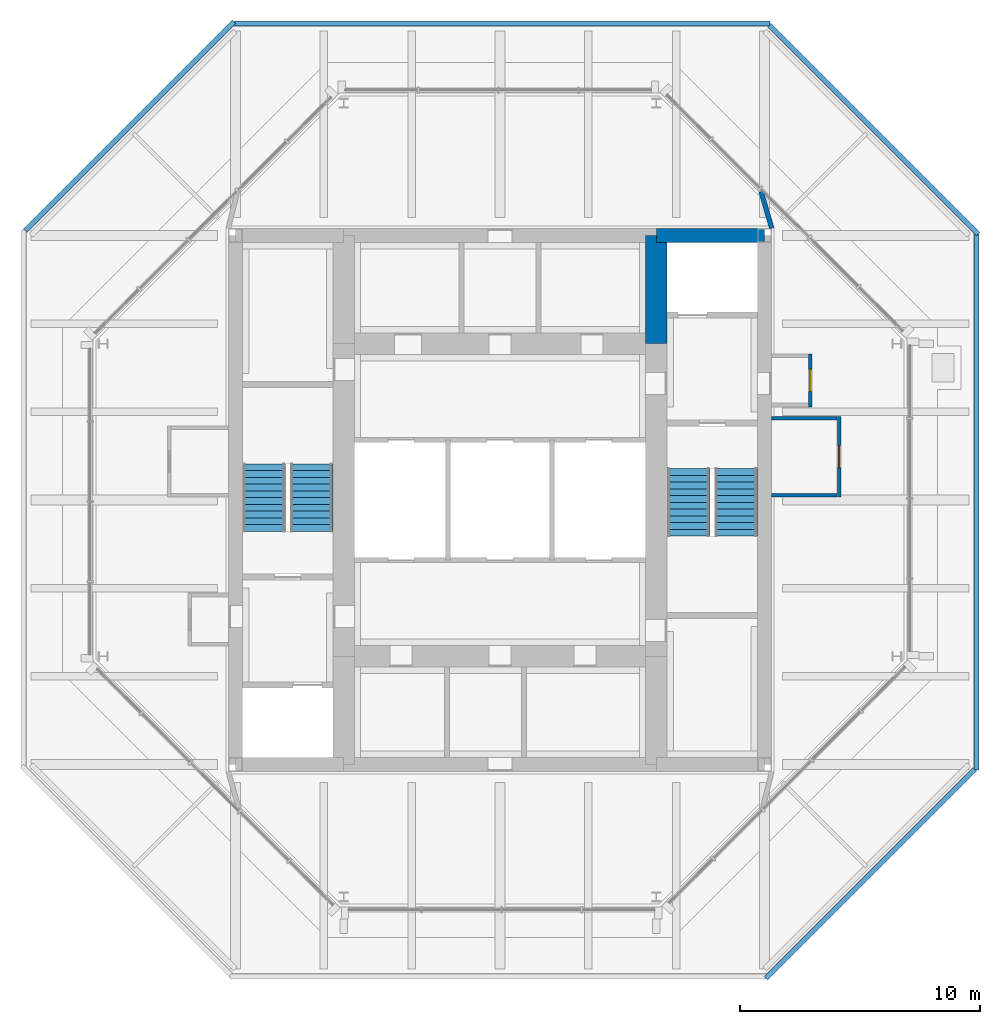
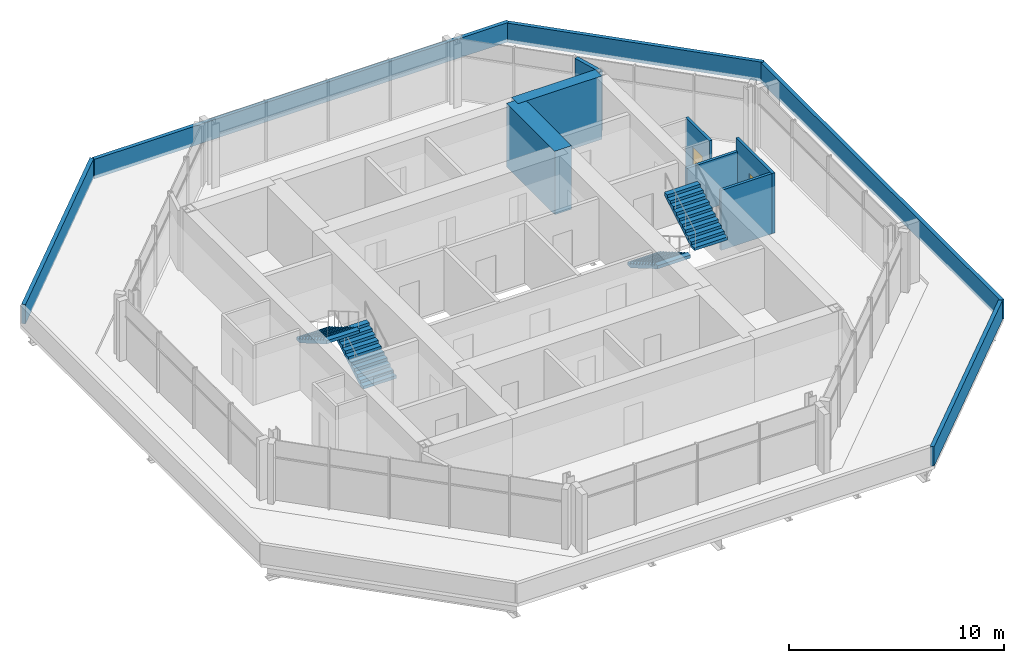
# One storey, part 9 of 10: 12 walls, 4 stair flights, 2 doors, 2 openings, 2 elements without a shape of their own.
"""IFC4 building model written with IfcOpenShell, lengths in metres."""

from ifc_helpers import new_model, si_unit, direction, frame, frame_2d, origin, place, context, subcontext, project, spatial, polyline, rectangle, outline, extrude, material, layer, layer_set, type_object, element, fill, aggregate, save


model = new_model("IFC4")

# Units and contexts
model_context = context("Model", 3, precision=1e-05, world=origin(), true_north=direction((0.0, 1.0)))
body_context = subcontext(model_context, "Body", "Model", "MODEL_VIEW")
ifc_project = project(units=[si_unit("LENGTHUNIT", "METRE"), si_unit("AREAUNIT", "SQUARE_METRE"), si_unit("VOLUMEUNIT", "CUBIC_METRE"), si_unit("PLANEANGLEUNIT", "RADIAN"), si_unit("MASSUNIT", "GRAM", prefix="KILO")], contexts=[model_context])

# Site, building, storey
site_placement = place(None, origin())
site = spatial("IfcSite", under=ifc_project, at=site_placement, CompositionType="ELEMENT")
building_placement = place(site_placement, origin())
building = spatial("IfcBuilding", under=site, at=building_placement, Name="Trevanion Tower", CompositionType="ELEMENT")
storey_placement = place(building_placement, frame((0.0, 0.0, 263.199951171875)))
storey = spatial("IfcBuildingStorey", under=building, at=storey_placement, Name="L64", CompositionType="ELEMENT", Elevation=263.199951171875)

# Walls
ifc_material_1 = material(Name="Concrete 10,000 psi", Category="concrete")
ifc_layer_1 = layer(ifc_material_1, 0.60009765625)
ifc_layer_set_1 = layer_set([ifc_layer_1], Name="CW1 core wall 600")
wall_type_1 = type_object("IfcWallType", Name="CW1 core wall 600", PredefinedType="SHEAR", material=ifc_layer_set_1)
wall_1_placement = place(storey_placement, frame((11.0, 11.0, 0.0), z_axis=(0.0, 0.0, 1.0), x_axis=(-1.0, 0.0, 0.0)))
element("IfcWall", 1, at=wall_1_placement, inside=storey, type_object=wall_type_1, Name="CW1 CN1 L64", PredefinedType="SHEAR", context=body_context, shape_type="SweptSolid", body=[
    extrude(rectangle(XDim=4.5, YDim=0.60009765625, at=frame_2d((2.25, 0.0))), origin(), (0.0, 0.0, 1.0), 3.60009765625),
])
ifc_material_2 = material(Name="Concrete 10,000 psi", Category="concrete")
ifc_layer_2 = layer(ifc_material_2, 0.89990234375)
ifc_layer_set_2 = layer_set([ifc_layer_2], Name="CW2 core wall 900")
wall_type_2 = type_object("IfcWallType", Name="CW2 core wall 900", PredefinedType="SHEAR", material=ifc_layer_set_2)
wall_2_placement = place(storey_placement, frame((6.5, 6.5, 0.0), z_axis=(0.0, 0.0, 1.0), x_axis=(0.0, 1.0, 0.0)))
element("IfcWall", 2, at=wall_2_placement, inside=storey, type_object=wall_type_2, Name="CW2 RE3 L64", PredefinedType="SHEAR", context=body_context, shape_type="SweptSolid", body=[
    extrude(rectangle(XDim=4.5, YDim=0.89990234375, at=frame_2d((2.25, 0.0))), origin(), (0.0, 0.0, 1.0), 3.60009765625),
])
ifc_material_3 = material(Name="Reinforced concrete parapet faced in bronze metal coping", Category="concrete")
ifc_layer_3 = layer(ifc_material_3, 0.199951171875)
ifc_layer_set_3 = layer_set([ifc_layer_3], Name="PP1 parapet 200")
wall_type_3 = type_object("IfcWallType", Name="PP1 parapet 200", PredefinedType="PARAPET", material=ifc_layer_set_3)
for number, where, z_axis, x_axis, name in (
    (3, (19.749267578125, -11.203369140625, 0.0), (0.0, 0.0, 1.0), (-0.707116716997, -0.707096845237, 0.0), "PP1 L64 1"),
    (4, (-19.749267578125, 11.203369140625, 0.0), (0.0, 0.0, 1.0), (0.707116716997, 0.707096845237, 0.0), "PP1 L64 5"),
):
    element("IfcWall", number, at=place(storey_placement, frame(where, z_axis=z_axis, x_axis=x_axis)), inside=storey, type_object=wall_type_3, Name=name, PredefinedType="PARAPET", context=body_context, shape_type="SweptSolid", body=[
        extrude(rectangle(XDim=12.285888671875, YDim=0.199951171875, at=frame_2d((6.14306640625, 0.0))), origin(), (0.0, 0.0, 1.0), 1.10009765625),
    ])
wall_3_placement = place(storey_placement, frame((-11.032470703125, 19.820068359375, 0.0), z_axis=(0.0, 0.0, 1.0), x_axis=(1.0, 0.0, 0.0)))
element("IfcWall", 5, at=wall_3_placement, inside=storey, type_object=wall_type_3, Name="PP1 L64 6", PredefinedType="PARAPET", context=body_context, shape_type="SweptSolid", body=[
    extrude(rectangle(XDim=22.264892578125, YDim=0.199951171875, at=frame_2d((11.13232421875, 0.0))), origin(), (0.0, 0.0, 1.0), 1.10009765625),
])
wall_4_placement = place(storey_placement, frame((11.203369140625, 19.749267578125, 0.0), z_axis=(0.0, 0.0, 1.0), x_axis=(0.707096845237, -0.707116716997, 0.0)))
element("IfcWall", 6, at=wall_4_placement, inside=storey, type_object=wall_type_3, Name="PP1 L64 7", PredefinedType="PARAPET", context=body_context, shape_type="SweptSolid", body=[
    extrude(rectangle(XDim=12.285888671875, YDim=0.199951171875, at=frame_2d((6.14306640625, 0.0))), origin(), (0.0, 0.0, 1.0), 1.10009765625),
])
wall_5_placement = place(storey_placement, frame((19.820068359375, 11.032470703125, 0.0), z_axis=(0.0, 0.0, 1.0), x_axis=(0.0, -1.0, 0.0)))
element("IfcWall", 7, at=wall_5_placement, inside=storey, type_object=wall_type_3, Name="PP1 L64 8", PredefinedType="PARAPET", context=body_context, shape_type="SweptSolid", body=[
    extrude(rectangle(XDim=22.264892578125, YDim=0.199951171875, at=frame_2d((11.13232421875, 0.0))), origin(), (0.0, 0.0, 1.0), 1.10009765625),
])

# Wall, opening, door
ifc_material_4 = material(Name="Gypsum board on steel studs", Category="steel")
ifc_layer_4 = layer(ifc_material_4, 0.14990234375)
ifc_layer_set_4 = layer_set([ifc_layer_4], Name="PT1 partition 150")
wall_type_4 = type_object("IfcWallType", Name="PT1 partition 150", PredefinedType="PARTITIONING", material=ifc_layer_set_4)
wall_6_placement = place(storey_placement, frame((12.89990234375, 3.875, 0.0), z_axis=(0.0, 0.0, 1.0), x_axis=(0.0, 1.0, 0.0)))
wall_6 = element("IfcWall", 8, at=wall_6_placement, inside=storey, type_object=wall_type_4, Name="PT1 L64 REEF", PredefinedType="PARTITIONING", context=body_context, shape_type="SweptSolid", body=[
    extrude(rectangle(XDim=2.199951171875, YDim=0.14990234375, at=frame_2d((1.10009765625, 0.0))), origin(), (0.0, 0.0, 1.0), 3.41015625),
])
opening_1_placement = place(wall_6_placement, frame((0.642578125, 0.0, 0.0)))
opening_1 = element("IfcOpeningElement", 9, at=opening_1_placement, cuts=wall_6, Name="Opening 64-025", PredefinedType="OPENING", context=body_context, shape_type="SweptSolid", body=[
    extrude(rectangle(XDim=0.9150390625, YDim=2.134033203125, at=frame_2d((0.45751953125, 1.06689453125))), frame((0.0, 0.0849609375, 0.0), z_axis=(0.0, -1.0, 0.0), x_axis=(1.0, 0.0, 0.0)), (0.0, 0.0, 1.0), 0.169921875),
])
ifc_material_5 = material(Name="Timber veneer, solid core", Category="wood")
door_type = type_object("IfcDoorType", Name="D1 office and meeting room door", OperationType="SINGLE_SWING_LEFT", PredefinedType="DOOR", material=ifc_material_5)
door_1_placement = place(opening_1_placement, origin())
door_1 = element("IfcDoor", 10, at=door_1_placement, inside=storey, type_object=door_type, Name="Door 64-025", OperationType="SINGLE_SWING_LEFT", OverallHeight=2.134033203125, OverallWidth=0.9150390625, PredefinedType="DOOR", context=body_context, shape_type="SweptSolid", body=[
    extrude(rectangle(XDim=0.9150390625, YDim=2.134033203125, at=frame_2d((0.45751953125, 1.06689453125))), frame((0.0, 0.02490234375, 0.0), z_axis=(0.0, -1.0, 0.0), x_axis=(1.0, 0.0, 0.0)), (0.0, 0.0, 1.0), 0.050048828125),
])
fill(opening_1, door_1)

wall_7_placement = place(storey_placement, frame((14.10009765625, 0.125, 0.0), z_axis=(0.0, 0.0, 1.0), x_axis=(0.0, 1.0, 0.0)))
wall_7 = element("IfcWall", 11, at=wall_7_placement, inside=storey, type_object=wall_type_4, Name="PT1 L64 REKF", PredefinedType="PARTITIONING", context=body_context, shape_type="SweptSolid", body=[
    extrude(rectangle(XDim=3.35009765625, YDim=0.14990234375, at=frame_2d((1.675048828125, 0.0))), origin(), (0.0, 0.0, 1.0), 3.41015625),
])
opening_2_placement = place(wall_7_placement, frame((1.217529296875, 0.0, 0.0)))
opening_2 = element("IfcOpeningElement", 12, at=opening_2_placement, cuts=wall_7, Name="Opening 64-026", PredefinedType="OPENING", context=body_context, shape_type="SweptSolid", body=[
    extrude(rectangle(XDim=0.9150390625, YDim=2.134033203125, at=frame_2d((0.45751953125, 1.06689453125))), frame((0.0, 0.0849609375, 0.0), z_axis=(0.0, -1.0, 0.0), x_axis=(1.0, 0.0, 0.0)), (0.0, 0.0, 1.0), 0.169921875),
])
door_2_placement = place(opening_2_placement, origin())
door_2 = element("IfcDoor", 13, at=door_2_placement, inside=storey, type_object=door_type, Name="Door 64-026", OperationType="SINGLE_SWING_LEFT", OverallHeight=2.134033203125, OverallWidth=0.9150390625, PredefinedType="DOOR", context=body_context, shape_type="SweptSolid", body=[
    extrude(rectangle(XDim=0.9150390625, YDim=2.134033203125, at=frame_2d((0.45751953125, 1.06689453125))), frame((0.0, 0.02490234375, 0.0), z_axis=(0.0, -1.0, 0.0), x_axis=(1.0, 0.0, 0.0)), (0.0, 0.0, 1.0), 0.050048828125),
])
fill(opening_2, door_2)

# Walls
wall_8_placement = place(storey_placement, frame((11.300048828125, 0.199951171875, 0.0), z_axis=(0.0, 0.0, 1.0), x_axis=(1.0, 0.0, 0.0)))
element("IfcWall", 14, at=wall_8_placement, inside=storey, type_object=wall_type_4, Name="PT1 L64 REKA", PredefinedType="PARTITIONING", context=body_context, shape_type="SweptSolid", body=[
    extrude(rectangle(XDim=2.724853515625, YDim=0.14990234375, at=frame_2d((1.3623046875, 0.0))), origin(), (0.0, 0.0, 1.0), 3.41015625),
])
wall_9_placement = place(storey_placement, frame((11.300048828125, 3.39990234375, 0.0), z_axis=(0.0, 0.0, 1.0), x_axis=(1.0, 0.0, 0.0)))
element("IfcWall", 15, at=wall_9_placement, inside=storey, type_object=wall_type_4, Name="PT1 L64 REKB", PredefinedType="PARTITIONING", context=body_context, shape_type="SweptSolid", body=[
    extrude(rectangle(XDim=2.724853515625, YDim=0.14990234375, at=frame_2d((1.3623046875, 0.0))), origin(), (0.0, 0.0, 1.0), 2.708984375),
])
ifc_material_6 = material(Name="Concrete masonry, grouted", Category="masonry")
ifc_layer_5 = layer(ifc_material_6, 0.199951171875)
ifc_layer_set_5 = layer_set([ifc_layer_5], Name="PT2 partition 200 1 HR")
wall_type_5 = type_object("IfcWallType", Name="PT2 partition 200 1 HR", PredefinedType="PARTITIONING", material=ifc_layer_set_5)
wall_10_placement = place(storey_placement, frame((11.300048828125, 11.300048828125, 0.0), z_axis=(0.0, 0.0, 1.0), x_axis=(-0.278099250491, 0.960552344683, 0.0)))
element("IfcWall", 16, at=wall_10_placement, inside=storey, type_object=wall_type_5, Name="PT2 L64 UB0", PredefinedType="PARTITIONING", context=body_context, shape_type="SweptSolid", body=[
    extrude(rectangle(XDim=1.583740234375, YDim=0.199951171875, at=frame_2d((0.7919921875, 0.0))), origin(), (0.0, 0.0, 1.0), 3.41015625),
])

# Stair, stair flights
ifc_material_7 = material(Name="Concrete 5,000 psi on steel stringers", Category="concrete")
stair_type = type_object("IfcStairType", Name="ST stair", PredefinedType="HALF_TURN_STAIR", material=ifc_material_7)
stair_1_placement = place(storey_placement, origin())
stair_1 = element("IfcStair", 17, at=stair_1_placement, inside=storey, type_object=stair_type, Name="ST1 L64", PredefinedType="HALF_TURN_STAIR")
ifc_material_8 = material(Name="Concrete 5,000 psi in steel pan", Category="concrete")
stair_flight_type = type_object("IfcStairFlightType", Name="STF stair flight", PredefinedType="STRAIGHT", material=ifc_material_8)
stair_flight_1_placement = place(storey_placement, frame((7.83740234375, 1.300048828125, 0.0), z_axis=(0.0, 0.0, 1.0), x_axis=(0.0, -1.0, 0.0)))
stair_flight_1 = element("IfcStairFlight", 18, at=stair_flight_1_placement, type_object=stair_flight_type, Name="ST1 flight 1", NumberOfRisers=11, NumberOfTreads=10, PredefinedType="STRAIGHT", RiserHeight=0.163636364, TreadLength=0.28, context=body_context, shape_type="SweptSolid", body=[
    extrude(outline(polyline([(0.0, 0.0), (0.0, 0.16357421875), (0.280029296875, 0.16357421875), (0.280029296875, 0.327392578125), (0.56005859375, 0.327392578125), (0.56005859375, 0.490966796875), (0.840087890625, 0.490966796875), (0.840087890625, 0.654541015625), (1.1201171875, 0.654541015625), (1.1201171875, 0.818115234375), (1.39990234375, 0.818115234375), (1.39990234375, 0.98193359375), (1.679931640625, 0.98193359375), (1.679931640625, 1.1455078125), (1.9599609375, 1.1455078125), (1.9599609375, 1.30908203125), (2.239990234375, 1.30908203125), (2.239990234375, 1.47265625), (2.52001953125, 1.47265625), (2.52001953125, 1.636474609375), (2.800048828125, 1.636474609375), (2.800048828125, 1.800048828125), (2.800048828125, 1.462646484375), (0.297119140625, 0.0), (0.0, 0.0)])), frame((0.0, 0.887451171875, 0.0), z_axis=(0.0, -1.0, 0.0), x_axis=(1.0, 0.0, 0.0)), (0.0, 0.0, 1.0), 1.77490234375),
])
stair_flight_2_placement = place(storey_placement, frame((9.8125, -1.5, 1.800048828125), z_axis=(0.0, 0.0, 1.0), x_axis=(0.0, 1.0, 0.0)))
stair_flight_2 = element("IfcStairFlight", 19, at=stair_flight_2_placement, type_object=stair_flight_type, Name="ST1 flight 2", NumberOfRisers=11, NumberOfTreads=10, PredefinedType="STRAIGHT", RiserHeight=0.163636364, TreadLength=0.28, context=body_context, shape_type="SweptSolid", body=[
    extrude(outline(polyline([(0.0, 0.0), (0.0, 0.16357421875), (0.280029296875, 0.16357421875), (0.280029296875, 0.327392578125), (0.56005859375, 0.327392578125), (0.56005859375, 0.490966796875), (0.840087890625, 0.490966796875), (0.840087890625, 0.654541015625), (1.1201171875, 0.654541015625), (1.1201171875, 0.818115234375), (1.39990234375, 0.818115234375), (1.39990234375, 0.98193359375), (1.679931640625, 0.98193359375), (1.679931640625, 1.1455078125), (1.9599609375, 1.1455078125), (1.9599609375, 1.30908203125), (2.239990234375, 1.30908203125), (2.239990234375, 1.47265625), (2.52001953125, 1.47265625), (2.52001953125, 1.636474609375), (2.800048828125, 1.636474609375), (2.800048828125, 1.800048828125), (2.800048828125, 1.462646484375), (0.297119140625, 0.0), (0.0, 0.0)])), frame((0.0, 0.887451171875, 0.0), z_axis=(0.0, -1.0, 0.0), x_axis=(1.0, 0.0, 0.0)), (0.0, 0.0, 1.0), 1.77490234375),
])
aggregate(stair_1, [stair_flight_1, stair_flight_2])

stair_2_placement = place(storey_placement, origin())
stair_2 = element("IfcStair", 20, at=stair_2_placement, inside=storey, type_object=stair_type, Name="ST2 L64", PredefinedType="HALF_TURN_STAIR")
stair_flight_3_placement = place(storey_placement, frame((-7.83740234375, -1.300048828125, 0.0), z_axis=(0.0, 0.0, 1.0), x_axis=(0.0, 1.0, 0.0)))
stair_flight_3 = element("IfcStairFlight", 21, at=stair_flight_3_placement, type_object=stair_flight_type, Name="ST2 flight 1", NumberOfRisers=11, NumberOfTreads=10, PredefinedType="STRAIGHT", RiserHeight=0.163636364, TreadLength=0.28, context=body_context, shape_type="SweptSolid", body=[
    extrude(outline(polyline([(0.0, 0.0), (0.0, 0.16357421875), (0.280029296875, 0.16357421875), (0.280029296875, 0.327392578125), (0.56005859375, 0.327392578125), (0.56005859375, 0.490966796875), (0.840087890625, 0.490966796875), (0.840087890625, 0.654541015625), (1.1201171875, 0.654541015625), (1.1201171875, 0.818115234375), (1.39990234375, 0.818115234375), (1.39990234375, 0.98193359375), (1.679931640625, 0.98193359375), (1.679931640625, 1.1455078125), (1.9599609375, 1.1455078125), (1.9599609375, 1.30908203125), (2.239990234375, 1.30908203125), (2.239990234375, 1.47265625), (2.52001953125, 1.47265625), (2.52001953125, 1.636474609375), (2.800048828125, 1.636474609375), (2.800048828125, 1.800048828125), (2.800048828125, 1.462646484375), (0.297119140625, 0.0), (0.0, 0.0)])), frame((0.0, 0.887451171875, 0.0), z_axis=(0.0, -1.0, 0.0), x_axis=(1.0, 0.0, 0.0)), (0.0, 0.0, 1.0), 1.77490234375),
])
stair_flight_4_placement = place(storey_placement, frame((-9.8125, 1.5, 1.800048828125), z_axis=(0.0, 0.0, 1.0), x_axis=(0.0, -1.0, 0.0)))
stair_flight_4 = element("IfcStairFlight", 22, at=stair_flight_4_placement, type_object=stair_flight_type, Name="ST2 flight 2", NumberOfRisers=11, NumberOfTreads=10, PredefinedType="STRAIGHT", RiserHeight=0.163636364, TreadLength=0.28, context=body_context, shape_type="SweptSolid", body=[
    extrude(outline(polyline([(0.0, 0.0), (0.0, 0.16357421875), (0.280029296875, 0.16357421875), (0.280029296875, 0.327392578125), (0.56005859375, 0.327392578125), (0.56005859375, 0.490966796875), (0.840087890625, 0.490966796875), (0.840087890625, 0.654541015625), (1.1201171875, 0.654541015625), (1.1201171875, 0.818115234375), (1.39990234375, 0.818115234375), (1.39990234375, 0.98193359375), (1.679931640625, 0.98193359375), (1.679931640625, 1.1455078125), (1.9599609375, 1.1455078125), (1.9599609375, 1.30908203125), (2.239990234375, 1.30908203125), (2.239990234375, 1.47265625), (2.52001953125, 1.47265625), (2.52001953125, 1.636474609375), (2.800048828125, 1.636474609375), (2.800048828125, 1.800048828125), (2.800048828125, 1.462646484375), (0.297119140625, 0.0), (0.0, 0.0)])), frame((0.0, 0.887451171875, 0.0), z_axis=(0.0, -1.0, 0.0), x_axis=(1.0, 0.0, 0.0)), (0.0, 0.0, 1.0), 1.77490234375),
])
aggregate(stair_2, [stair_flight_3, stair_flight_4])

save(model, "model.ifc")
